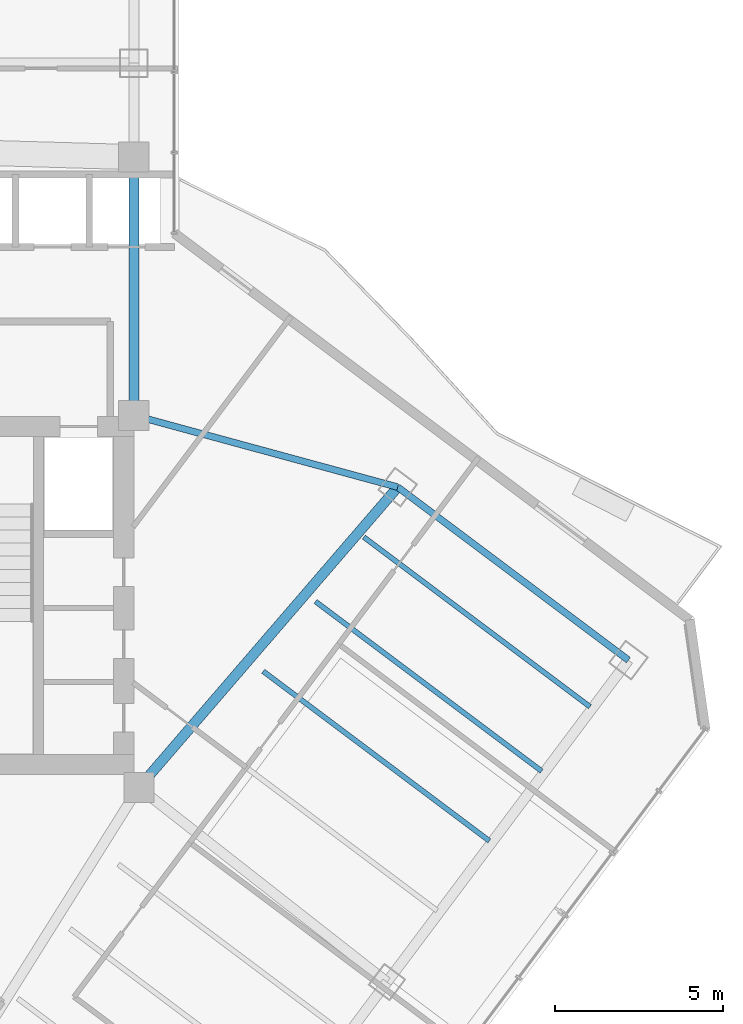
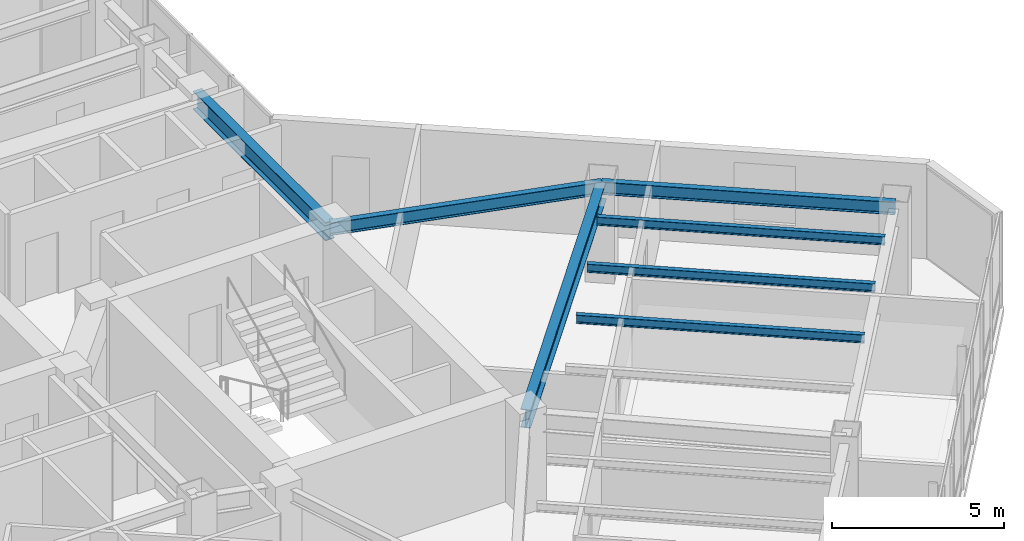
# One storey, part 14 of 28: 7 beams.
"""IFC4 building model written with IfcOpenShell, lengths in metres."""

from ifc_helpers import new_model, si_unit, direction, frame, origin, origin_2d, place, context, subcontext, project, spatial, i_section, extrude, material, material_profile, profile_set, type_object, element, save


model = new_model("IFC4")

# Units and contexts
model_context = context("Model", 3, precision=1e-05, world=origin(), true_north=direction((0.0, 1.0)))
body_context = subcontext(model_context, "Body", "Model", "MODEL_VIEW")
ifc_project = project(units=[si_unit("LENGTHUNIT", "METRE"), si_unit("AREAUNIT", "SQUARE_METRE"), si_unit("VOLUMEUNIT", "CUBIC_METRE"), si_unit("PLANEANGLEUNIT", "RADIAN"), si_unit("MASSUNIT", "GRAM", prefix="KILO")], contexts=[model_context])

# Site, building, storey
site_placement = place(None, origin())
site = spatial("IfcSite", under=ifc_project, at=site_placement, CompositionType="ELEMENT")
building_placement = place(site_placement, origin())
building = spatial("IfcBuilding", under=site, at=building_placement, Name="Hatsunagi Terrace Concourse", CompositionType="ELEMENT")
storey_placement = place(building_placement, frame((0.0, 0.0, 160.050048828125)))
storey = spatial("IfcBuildingStorey", under=building, at=storey_placement, Name="L42", CompositionType="ELEMENT", Elevation=160.050048828125)

# Beams
ifc_material_1 = material(Name="Steel SN490B", Category="steel")
ifc_material_profile_1 = material_profile(ifc_material_1, i_section(OverallWidth=0.14990234375, OverallDepth=0.300048828125, WebThickness=0.006591796875, FlangeThickness=0.009033203125, FilletRadius=0.010986328125, at=origin_2d()), Name="H-300x150x6.5x9")
ifc_profile_set_1 = profile_set([ifc_material_profile_1], Name="Steel SN490B")
beam_type_1 = type_object("IfcBeamType", Name="OfficeJoist_H_300x150", PredefinedType="JOIST", material=ifc_profile_set_1)
for number, where, z_axis, x_axis, name in (
    (1, (47.508056640625, 27.6689453125, 3.199951171875), (0.800003475366, -0.59999536615, 0.0), (0.59999536615, 0.800003475366, 0.0), "Beam J-03 J-L42-SE-2-168"),
    (2, (49.068115234375, 29.7490234375, 3.199951171875), (0.799989573921, -0.600013901187, 0.0), (0.600013901187, 0.799989573921, 0.0), "Beam J-03 J-L42-SE-2-194"),
    (3, (50.508056640625, 31.6689453125, 3.199951171875), (0.800003475366, -0.59999536615, 0.0), (0.59999536615, 0.800003475366, 0.0), "Beam J-03 J-L42-SE-2-218"),
):
    element("IfcBeam", number, at=place(storey_placement, frame(where, z_axis=z_axis, x_axis=x_axis)), inside=storey, type_object=beam_type_1, Name=name, PredefinedType="JOIST", context=body_context, shape_type="SweptSolid", body=[
        extrude(i_section(OverallWidth=0.14990234375, OverallDepth=0.300048828125, WebThickness=0.006591796875, FlangeThickness=0.009033203125, FilletRadius=0.010986328125, at=origin_2d()), origin(), (0.0, 0.0, 1.0), 8.429931640625),
    ])
ifc_material_2 = material(Name="Steel SN490B", Category="steel")
ifc_material_profile_2 = material_profile(ifc_material_2, i_section(OverallWidth=0.300048828125, OverallDepth=0.64990234375, WebThickness=0.012939453125, FlangeThickness=0.02197265625, FilletRadius=0.01806640625, at=origin_2d()), Name="H-650x300x13x22")
ifc_profile_set_2 = profile_set([ifc_material_profile_2], Name="Steel SN490B")
beam_type_2 = type_object("IfcBeamType", Name="OfficeLowGirder_H_650x300", PredefinedType="BEAM", material=ifc_profile_set_2)
beam_1_placement = place(storey_placement, frame((43.64990234375, 35.300048828125, 3.02490234375), z_axis=(0.0, 1.0, 0.0), x_axis=(-1.0, 0.0, 0.0)))
element("IfcBeam", 4, at=beam_1_placement, inside=storey, type_object=beam_type_2, Name="Beam G-05 BM-L42-CBK3", PredefinedType="BEAM", context=body_context, shape_type="SweptSolid", body=[
    extrude(i_section(OverallWidth=0.300048828125, OverallDepth=0.64990234375, WebThickness=0.012939453125, FlangeThickness=0.02197265625, FilletRadius=0.01806640625, at=origin_2d()), origin(), (0.0, 0.0, 1.0), 7.699951171875),
])
beam_2_placement = place(storey_placement, frame((43.800048828125, 24.199951171875, 3.02490234375), z_axis=(0.652739101421, 0.757582777969, 0.0), x_axis=(-0.757582777969, 0.652739101421, 0.0)))
element("IfcBeam", 5, at=beam_2_placement, inside=storey, type_object=beam_type_2, Name="Beam G-05 BM-L42-SET-1B", PredefinedType="BEAM", context=body_context, shape_type="SweptSolid", body=[
    extrude(i_section(OverallWidth=0.300048828125, OverallDepth=0.64990234375, WebThickness=0.012939453125, FlangeThickness=0.02197265625, FilletRadius=0.01806640625, at=origin_2d()), origin(), (0.0, 0.0, 1.0), 11.8271484375),
])
ifc_material_3 = material(Name="Steel SN490B", Category="steel")
ifc_material_profile_3 = material_profile(ifc_material_3, i_section(OverallWidth=0.199951171875, OverallDepth=0.449951171875, WebThickness=0.009033203125, FlangeThickness=0.013916015625, FilletRadius=0.01611328125, at=origin_2d()), Name="H-450x200x9x14")
ifc_profile_set_3 = profile_set([ifc_material_profile_3], Name="Steel SN490B")
beam_type_3 = type_object("IfcBeamType", Name="PerimeterSpandrel_H_450x200", PredefinedType="SPANDREL", material=ifc_profile_set_3)
beam_3_placement = place(storey_placement, frame((43.64990234375, 35.300048828125, 3.125), z_axis=(0.964958359286, -0.262403057994, 0.0), x_axis=(0.262403057994, 0.964958359286, 0.0)))
element("IfcBeam", 6, at=beam_3_placement, inside=storey, type_object=beam_type_3, Name="Beam SP-02 BM-L42-SE-NE0", PredefinedType="SPANDREL", context=body_context, shape_type="SweptSolid", body=[
    extrude(i_section(OverallWidth=0.199951171875, OverallDepth=0.449951171875, WebThickness=0.009033203125, FlangeThickness=0.013916015625, FilletRadius=0.01611328125, at=origin_2d()), origin(), (0.0, 0.0, 1.0), 8.156005859375),
])
beam_4_placement = place(storey_placement, frame((51.52001953125, 33.159912109375, 3.125), z_axis=(0.8, -0.6, 0.0), x_axis=(0.6, 0.8, 0.0)))
element("IfcBeam", 7, at=beam_4_placement, inside=storey, type_object=beam_type_3, Name="Beam SP-02 BM-L42-SE-NE2", PredefinedType="SPANDREL", context=body_context, shape_type="SweptSolid", body=[
    extrude(i_section(OverallWidth=0.199951171875, OverallDepth=0.449951171875, WebThickness=0.009033203125, FlangeThickness=0.013916015625, FilletRadius=0.01611328125, at=origin_2d()), origin(), (0.0, 0.0, 1.0), 8.599853515625),
])

save(model, "model.ifc")
